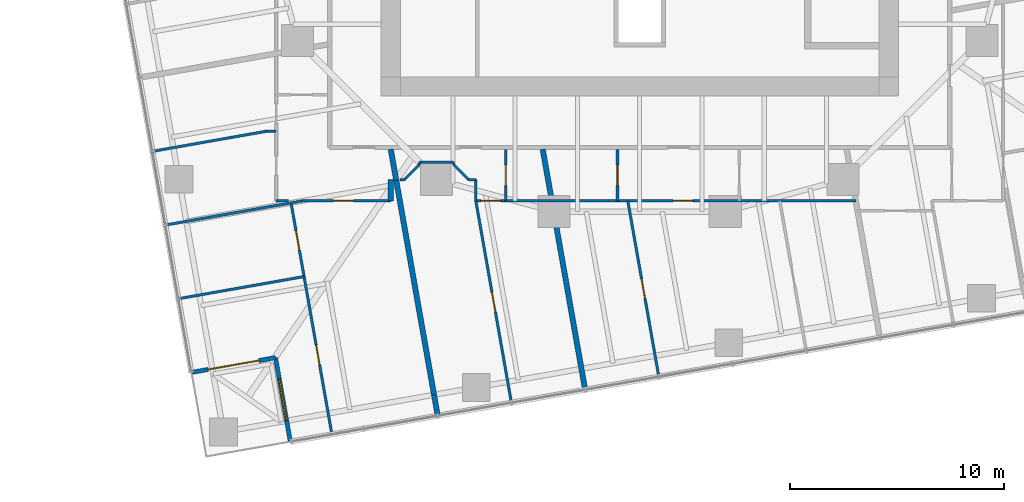
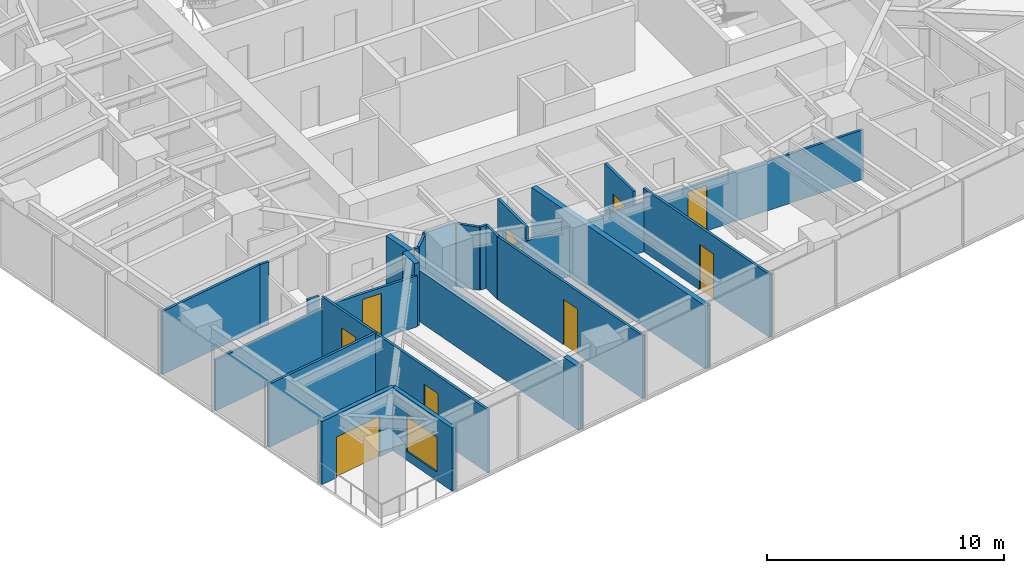
# One storey, part 8 of 14: 27 walls, 10 doors, 1 window, 11 openings.
"""IFC4 building model written with IfcOpenShell, lengths in metres."""

from ifc_helpers import new_model, si_unit, direction, frame, frame_2d, origin, place, context, subcontext, project, spatial, rectangle, extrude, material, layer, layer_set, type_object, element, fill, save


model = new_model("IFC4")

# Units and contexts
model_context = context("Model", 3, precision=1e-05, world=origin(), true_north=direction((0.0, 1.0)))
body_context = subcontext(model_context, "Body", "Model", "MODEL_VIEW")
ifc_project = project(units=[si_unit("LENGTHUNIT", "METRE"), si_unit("AREAUNIT", "SQUARE_METRE"), si_unit("VOLUMEUNIT", "CUBIC_METRE"), si_unit("PLANEANGLEUNIT", "RADIAN"), si_unit("MASSUNIT", "GRAM", prefix="KILO")], contexts=[model_context])

# Site, building, storey
site_placement = place(None, origin())
site = spatial("IfcSite", under=ifc_project, at=site_placement, CompositionType="ELEMENT")
building_placement = place(site_placement, origin())
building = spatial("IfcBuilding", under=site, at=building_placement, Name="Torsade Residences", CompositionType="ELEMENT")
storey_placement = place(building_placement, frame((0.0, 0.0, 86.199951171875)))
storey = spatial("IfcBuildingStorey", under=building, at=storey_placement, Name="L23", CompositionType="ELEMENT", Elevation=86.199951171875)

# Wall, opening, door
ifc_material_1 = material(Name="Plasterboard on steel stud", Category="steel")
ifc_layer_1 = layer(ifc_material_1, 0.1201171875)
ifc_layer_set_1 = layer_set([ifc_layer_1], Name="Plasterboard on steel stud")
wall_type_1 = type_object("IfcWallType", Name="PARTITION 120", PredefinedType="PARTITIONING", material=ifc_layer_set_1)
wall_1_placement = place(storey_placement, frame((28.362060546875, 13.0, 0.0), z_axis=(0.0, 0.0, 1.0), x_axis=(-1.0, 0.0, 0.0)))
wall_1 = element("IfcWall", 1, at=wall_1_placement, inside=storey, type_object=wall_type_1, Name="Partition L23", PredefinedType="PARTITIONING", context=body_context, shape_type="SweptSolid", body=[
    extrude(rectangle(XDim=4.151123046875, YDim=0.1201171875, at=frame_2d((2.07568359375, 0.0))), origin(), (0.0, 0.0, 1.0), 2.637939453125),
])
opening_1_placement = place(wall_1_placement, frame((1.759521484375, 0.0, 0.0)))
opening_1 = element("IfcOpeningElement", 2, at=opening_1_placement, cuts=wall_1, Name="Opening D02", PredefinedType="OPENING", context=body_context, shape_type="SweptSolid", body=[
    extrude(rectangle(XDim=0.919921875, YDim=2.340087890625, at=frame_2d((0.4599609375, 1.169921875))), frame((0.0, 0.070068359375, 0.0), z_axis=(0.0, -1.0, 0.0), x_axis=(1.0, 0.0, 0.0)), (0.0, 0.0, 1.0), 0.14013671875),
])
ifc_material_2 = material(Name="Hollow-core timber door", Category="wood")
door_type_1 = type_object("IfcDoorType", Name="INTERNAL DOOR 920x2340", OperationType="NOTDEFINED", PredefinedType="DOOR", material=ifc_material_2)
door_1_placement = place(opening_1_placement, origin())
door_1 = element("IfcDoor", 3, at=door_1_placement, inside=storey, type_object=door_type_1, Name="Door Kitchen and dining to Living room", OperationType="SINGLE_SWING_RIGHT", OverallHeight=2.340087890625, OverallWidth=0.919921875, PredefinedType="DOOR", context=body_context, shape_type="SweptSolid", body=[
    extrude(rectangle(XDim=0.919921875, YDim=2.340087890625, at=frame_2d((0.4599609375, 1.169921875))), frame((0.0, 0.02490234375, 0.0), z_axis=(0.0, -1.0, 0.0), x_axis=(1.0, 0.0, 0.0)), (0.0, 0.0, 1.0), 0.050048828125),
])
fill(opening_1, door_1)

# Wall, openings, doors
wall_2_placement = place(storey_placement, frame((25.5966796875, 2.115234375, 0.0), z_axis=(0.0, 0.0, 1.0), x_axis=(-0.173639194339, 0.984809336973, 0.0)))
wall_2 = element("IfcWall", 4, at=wall_2_placement, inside=storey, type_object=wall_type_1, Name="Partition L23", PredefinedType="PARTITIONING", context=body_context, shape_type="SweptSolid", body=[
    extrude(rectangle(XDim=10.9599609375, YDim=0.1201171875, at=frame_2d((5.47998046875, 0.0))), origin(), (0.0, 0.0, 1.0), 3.25),
])
opening_2_placement = place(wall_2_placement, frame((3.275146484375, 0.0, 0.0)))
opening_2 = element("IfcOpeningElement", 5, at=opening_2_placement, cuts=wall_2, Name="Opening D02", PredefinedType="OPENING", context=body_context, shape_type="SweptSolid", body=[
    extrude(rectangle(XDim=0.919921875, YDim=2.340087890625, at=frame_2d((0.4599609375, 1.169921875))), frame((0.0, 0.070068359375, 0.0), z_axis=(0.0, -1.0, 0.0), x_axis=(1.0, 0.0, 0.0)), (0.0, 0.0, 1.0), 0.14013671875),
])
opening_3_placement = place(wall_2_placement, frame((8.724853515625, 0.0, 0.0)))
opening_3 = element("IfcOpeningElement", 6, at=opening_3_placement, cuts=wall_2, Name="Opening D02", PredefinedType="OPENING", context=body_context, shape_type="SweptSolid", body=[
    extrude(rectangle(XDim=0.919921875, YDim=2.340087890625, at=frame_2d((0.4599609375, 1.169921875))), frame((0.0, 0.070068359375, 0.0), z_axis=(0.0, -1.0, 0.0), x_axis=(1.0, 0.0, 0.0)), (0.0, 0.0, 1.0), 0.14013671875),
])
door_2_placement = place(opening_2_placement, origin())
door_2 = element("IfcDoor", 7, at=door_2_placement, inside=storey, type_object=door_type_1, Name="Door Living room to Bedroom 1", OperationType="SINGLE_SWING_LEFT", OverallHeight=2.340087890625, OverallWidth=0.919921875, PredefinedType="DOOR", context=body_context, shape_type="SweptSolid", body=[
    extrude(rectangle(XDim=0.919921875, YDim=2.340087890625, at=frame_2d((0.4599609375, 1.169921875))), frame((0.0, 0.02490234375, 0.0), z_axis=(0.0, -1.0, 0.0), x_axis=(1.0, 0.0, 0.0)), (0.0, 0.0, 1.0), 0.050048828125),
])
fill(opening_2, door_2)
door_3_placement = place(opening_3_placement, origin())
door_3 = element("IfcDoor", 8, at=door_3_placement, inside=storey, type_object=door_type_1, Name="Door Living room to Bedroom 3", OperationType="SINGLE_SWING_LEFT", OverallHeight=2.340087890625, OverallWidth=0.919921875, PredefinedType="DOOR", context=body_context, shape_type="SweptSolid", body=[
    extrude(rectangle(XDim=0.919921875, YDim=2.340087890625, at=frame_2d((0.4599609375, 1.169921875))), frame((0.0, 0.02490234375, 0.0), z_axis=(0.0, -1.0, 0.0), x_axis=(1.0, 0.0, 0.0)), (0.0, 0.0, 1.0), 0.050048828125),
])
fill(opening_3, door_3)

# Walls
wall_3_placement = place(storey_placement, frame((17.850341796875, 11.87841796875, 0.0), z_axis=(0.0, 0.0, 1.0), x_axis=(0.984806762864, 0.173653792983, 0.0)))
element("IfcWall", 9, at=wall_3_placement, inside=storey, type_object=wall_type_1, Name="Partition L23", PredefinedType="PARTITIONING", context=body_context, shape_type="SweptSolid", body=[
    extrude(rectangle(XDim=6.458740234375, YDim=0.1201171875, at=frame_2d((3.2294921875, 0.0))), origin(), (0.0, 0.0, 1.0), 2.637939453125),
])
wall_4_placement = place(storey_placement, frame((18.4580078125, 8.431640625, 0.0), z_axis=(0.0, 0.0, 1.0), x_axis=(0.98480923034, 0.173639799116, 0.0)))
element("IfcWall", 10, at=wall_4_placement, inside=storey, type_object=wall_type_1, Name="Partition L23", PredefinedType="PARTITIONING", context=body_context, shape_type="SweptSolid", body=[
    extrude(rectangle(XDim=5.933349609375, YDim=0.1201171875, at=frame_2d((2.966796875, 0.0))), origin(), (0.0, 0.0, 1.0), 3.25),
])
wall_5_placement = place(storey_placement, frame((23.0, 16.260986328125, 0.0), z_axis=(0.0, 0.0, 1.0), x_axis=(-1.0, 0.0, 0.0)))
element("IfcWall", 11, at=wall_5_placement, inside=storey, type_object=wall_type_1, Name="Partition L23", PredefinedType="PARTITIONING", context=body_context, shape_type="SweptSolid", body=[
    extrude(rectangle(XDim=0.449951171875, YDim=0.1201171875, at=frame_2d((0.22509765625, 0.0))), origin(), (0.0, 0.0, 1.0), 3.25),
])
wall_6_placement = place(storey_placement, frame((22.550048828125, 16.260986328125, 0.0), z_axis=(0.0, 0.0, 1.0), x_axis=(-0.984810453076, -0.173632864151, 0.0)))
element("IfcWall", 12, at=wall_6_placement, inside=storey, type_object=wall_type_1, Name="Partition L23", PredefinedType="PARTITIONING", context=body_context, shape_type="SweptSolid", body=[
    extrude(rectangle(XDim=5.389404296875, YDim=0.1201171875, at=frame_2d((2.69482421875, 0.0))), origin(), (0.0, 0.0, 1.0), 3.25),
])

# Wall, opening, door
wall_7_placement = place(storey_placement, frame((33.735595703125, 15.39990234375, 0.0), z_axis=(0.0, 0.0, 1.0), x_axis=(0.0, -1.0, 0.0)))
wall_7 = element("IfcWall", 13, at=wall_7_placement, inside=storey, type_object=wall_type_1, Name="Partition L23", PredefinedType="PARTITIONING", context=body_context, shape_type="SweptSolid", body=[
    extrude(rectangle(XDim=2.39990234375, YDim=0.1201171875, at=frame_2d((1.199951171875, 0.0))), origin(), (0.0, 0.0, 1.0), 3.25),
])
opening_4_placement = place(wall_7_placement, frame((0.719970703125, 0.0, 0.0)))
opening_4 = element("IfcOpeningElement", 14, at=opening_4_placement, cuts=wall_7, Name="Opening D05", PredefinedType="OPENING", context=body_context, shape_type="SweptSolid", body=[
    extrude(rectangle(XDim=0.9599609375, YDim=2.10009765625, at=frame_2d((0.47998046875, 1.050048828125))), frame((0.0, 0.070068359375, 0.0), z_axis=(0.0, -1.0, 0.0), x_axis=(1.0, 0.0, 0.0)), (0.0, 0.0, 1.0), 0.14013671875),
])
ifc_material_3 = material(Name="Hollow-core timber door in a steel cavity frame", Category="steel")
door_type_2 = type_object("IfcDoorType", Name="BATHROOM CAVITY SLIDING DOOR 960", OperationType="SLIDING_TO_LEFT", PredefinedType="DOOR", material=ifc_material_3)
door_4_placement = place(opening_4_placement, origin())
door_4 = element("IfcDoor", 15, at=door_4_placement, inside=storey, type_object=door_type_2, Name="Door Kitchen and dining to Bathroom", OperationType="SLIDING_TO_LEFT", OverallHeight=2.10009765625, OverallWidth=0.9599609375, PredefinedType="DOOR", context=body_context, shape_type="SweptSolid", body=[
    extrude(rectangle(XDim=0.9599609375, YDim=2.10009765625, at=frame_2d((0.47998046875, 1.050048828125))), frame((0.0, 0.02490234375, 0.0), z_axis=(0.0, -1.0, 0.0), x_axis=(1.0, 0.0, 0.0)), (0.0, 0.0, 1.0), 0.050048828125),
])
fill(opening_4, door_4)

# Walls
wall_8_placement = place(storey_placement, frame((32.335693359375, 13.0, 0.0), z_axis=(0.0, 0.0, 1.0), x_axis=(0.0, 1.0, 0.0)))
element("IfcWall", 16, at=wall_8_placement, inside=storey, type_object=wall_type_1, Name="Partition L23", PredefinedType="PARTITIONING", context=body_context, shape_type="SweptSolid", body=[
    extrude(rectangle(XDim=1.0, YDim=0.1201171875, at=frame_2d((0.5, 0.0))), origin(), (0.0, 0.0, 1.0), 3.25),
])
wall_9_placement = place(storey_placement, frame((32.335693359375, 14.0, 0.0), z_axis=(0.0, 0.0, 1.0), x_axis=(-1.0, 0.0, 0.0)))
element("IfcWall", 17, at=wall_9_placement, inside=storey, type_object=wall_type_1, Name="Partition L23", PredefinedType="PARTITIONING", context=body_context, shape_type="SweptSolid", body=[
    extrude(rectangle(XDim=0.335693359375, YDim=0.1201171875, at=frame_2d((0.16796875, 0.0))), origin(), (0.0, 0.0, 1.0), 3.25),
])
wall_10_placement = place(storey_placement, frame((32.0, 14.0, 0.0), z_axis=(0.0, 0.0, 1.0), x_axis=(-0.707106781187, 0.707106781187, 0.0)))
element("IfcWall", 18, at=wall_10_placement, inside=storey, type_object=wall_type_1, Name="Partition L23", PredefinedType="PARTITIONING", context=body_context, shape_type="SweptSolid", body=[
    extrude(rectangle(XDim=0.989990234375, YDim=0.1201171875, at=frame_2d((0.4951171875, 0.0))), origin(), (0.0, 0.0, 1.0), 3.25),
])
wall_11_placement = place(storey_placement, frame((31.300048828125, 14.800048828125, 0.0), z_axis=(0.0, 0.0, 1.0), x_axis=(-1.0, 0.0, 0.0)))
element("IfcWall", 19, at=wall_11_placement, inside=storey, type_object=wall_type_1, Name="Partition L23", PredefinedType="PARTITIONING", context=body_context, shape_type="SweptSolid", body=[
    extrude(rectangle(XDim=1.60009765625, YDim=0.1201171875, at=frame_2d((0.800048828125, 0.0))), origin(), (0.0, 0.0, 1.0), 3.25),
])
wall_12_placement = place(storey_placement, frame((29.699951171875, 14.699951171875, 0.0), z_axis=(0.0, 0.0, 1.0), x_axis=(-0.707106781187, -0.707106781187, 0.0)))
element("IfcWall", 20, at=wall_12_placement, inside=storey, type_object=wall_type_1, Name="Partition L23", PredefinedType="PARTITIONING", context=body_context, shape_type="SweptSolid", body=[
    extrude(rectangle(XDim=0.989990234375, YDim=0.1201171875, at=frame_2d((0.4951171875, 0.0))), origin(), (0.0, 0.0, 1.0), 3.25),
])
wall_13_placement = place(storey_placement, frame((29.0, 14.0, 0.0), z_axis=(0.0, 0.0, 1.0), x_axis=(-1.0, 0.0, 0.0)))
element("IfcWall", 21, at=wall_13_placement, inside=storey, type_object=wall_type_1, Name="Partition L23", PredefinedType="PARTITIONING", context=body_context, shape_type="SweptSolid", body=[
    extrude(rectangle(XDim=0.218505859375, YDim=0.1201171875, at=frame_2d((0.109375, 0.0))), origin(), (0.0, 0.0, 1.0), 3.25),
])

# Wall, openings, doors
wall_14_placement = place(storey_placement, frame((50.10546875, 13.0, 0.0), z_axis=(0.0, 0.0, 1.0), x_axis=(-1.0, 0.0, 0.0)))
wall_14 = element("IfcWall", 22, at=wall_14_placement, inside=storey, type_object=wall_type_1, Name="Partition L23", PredefinedType="PARTITIONING", context=body_context, shape_type="SweptSolid", body=[
    extrude(rectangle(XDim=17.769775390625, YDim=0.1201171875, at=frame_2d((8.884765625, 0.0))), origin(), (0.0, 0.0, 1.0), 2.550048828125),
])
opening_5_placement = place(wall_14_placement, frame((7.625732421875, 0.0, 0.0)))
opening_5 = element("IfcOpeningElement", 23, at=opening_5_placement, cuts=wall_14, Name="Opening D02", PredefinedType="OPENING", context=body_context, shape_type="SweptSolid", body=[
    extrude(rectangle(XDim=0.919921875, YDim=2.340087890625, at=frame_2d((0.4599609375, 1.169921875))), frame((0.0, 0.070068359375, 0.0), z_axis=(0.0, -1.0, 0.0), x_axis=(1.0, 0.0, 0.0)), (0.0, 0.0, 1.0), 0.14013671875),
])
opening_6_placement = place(wall_14_placement, frame((16.60986328125, 0.0, 0.0)))
opening_6 = element("IfcOpeningElement", 24, at=opening_6_placement, cuts=wall_14, Name="Opening D02", PredefinedType="OPENING", context=body_context, shape_type="SweptSolid", body=[
    extrude(rectangle(XDim=0.919921875, YDim=2.340087890625, at=frame_2d((0.4599609375, 1.169921875))), frame((0.0, 0.070068359375, 0.0), z_axis=(0.0, -1.0, 0.0), x_axis=(1.0, 0.0, 0.0)), (0.0, 0.0, 1.0), 0.14013671875),
])
door_5_placement = place(opening_5_placement, origin())
door_5 = element("IfcDoor", 25, at=door_5_placement, inside=storey, type_object=door_type_1, Name="Door Kitchen and dining to Living room", OperationType="SINGLE_SWING_LEFT", OverallHeight=2.340087890625, OverallWidth=0.919921875, PredefinedType="DOOR", context=body_context, shape_type="SweptSolid", body=[
    extrude(rectangle(XDim=0.919921875, YDim=2.340087890625, at=frame_2d((0.4599609375, 1.169921875))), frame((0.0, 0.02490234375, 0.0), z_axis=(0.0, -1.0, 0.0), x_axis=(1.0, 0.0, 0.0)), (0.0, 0.0, 1.0), 0.050048828125),
])
fill(opening_5, door_5)
door_6_placement = place(opening_6_placement, origin())
door_6 = element("IfcDoor", 26, at=door_6_placement, inside=storey, type_object=door_type_1, Name="Door Kitchen and dining to Bedroom 1", OperationType="SINGLE_SWING_RIGHT", OverallHeight=2.340087890625, OverallWidth=0.919921875, PredefinedType="DOOR", context=body_context, shape_type="SweptSolid", body=[
    extrude(rectangle(XDim=0.919921875, YDim=2.340087890625, at=frame_2d((0.4599609375, 1.169921875))), frame((0.0, 0.02490234375, 0.0), z_axis=(0.0, -1.0, 0.0), x_axis=(1.0, 0.0, 0.0)), (0.0, 0.0, 1.0), 0.050048828125),
])
fill(opening_6, door_6)

# Wall, opening, door
wall_15_placement = place(storey_placement, frame((32.335693359375, 13.0, 0.0), z_axis=(0.0, 0.0, 1.0), x_axis=(0.173624894944, -0.984811858101, 0.0)))
wall_15 = element("IfcWall", 27, at=wall_15_placement, inside=storey, type_object=wall_type_1, Name="Partition L23", PredefinedType="PARTITIONING", context=body_context, shape_type="SweptSolid", body=[
    extrude(rectangle(XDim=9.549072265625, YDim=0.1201171875, at=frame_2d((4.7744140625, 0.0))), origin(), (0.0, 0.0, 1.0), 3.25),
])
opening_7_placement = place(wall_15_placement, frame((4.33447265625, 0.0, 0.0)))
opening_7 = element("IfcOpeningElement", 28, at=opening_7_placement, cuts=wall_15, Name="Opening D02", PredefinedType="OPENING", context=body_context, shape_type="SweptSolid", body=[
    extrude(rectangle(XDim=0.919921875, YDim=2.340087890625, at=frame_2d((0.4599609375, 1.169921875))), frame((0.0, 0.070068359375, 0.0), z_axis=(0.0, -1.0, 0.0), x_axis=(1.0, 0.0, 0.0)), (0.0, 0.0, 1.0), 0.14013671875),
])
door_7_placement = place(opening_7_placement, origin())
door_7 = element("IfcDoor", 29, at=door_7_placement, inside=storey, type_object=door_type_1, Name="Door Bedroom 1 to Living room", OperationType="SINGLE_SWING_LEFT", OverallHeight=2.340087890625, OverallWidth=0.919921875, PredefinedType="DOOR", context=body_context, shape_type="SweptSolid", body=[
    extrude(rectangle(XDim=0.919921875, YDim=2.340087890625, at=frame_2d((0.4599609375, 1.169921875))), frame((0.0, 0.02490234375, 0.0), z_axis=(0.0, -1.0, 0.0), x_axis=(1.0, 0.0, 0.0)), (0.0, 0.0, 1.0), 0.050048828125),
])
fill(opening_7, door_7)

wall_16_placement = place(storey_placement, frame((38.962158203125, 13.0, 0.0), z_axis=(0.0, 0.0, 1.0), x_axis=(0.0, 1.0, 0.0)))
wall_16 = element("IfcWall", 30, at=wall_16_placement, inside=storey, type_object=wall_type_1, Name="Partition L23", PredefinedType="PARTITIONING", context=body_context, shape_type="SweptSolid", body=[
    extrude(rectangle(XDim=2.39990234375, YDim=0.1201171875, at=frame_2d((1.199951171875, 0.0))), origin(), (0.0, 0.0, 1.0), 3.25),
])
opening_8_placement = place(wall_16_placement, frame((0.719970703125, 0.0, 0.0)))
opening_8 = element("IfcOpeningElement", 31, at=opening_8_placement, cuts=wall_16, Name="Opening D05", PredefinedType="OPENING", context=body_context, shape_type="SweptSolid", body=[
    extrude(rectangle(XDim=0.9599609375, YDim=2.10009765625, at=frame_2d((0.47998046875, 1.050048828125))), frame((0.0, 0.070068359375, 0.0), z_axis=(0.0, -1.0, 0.0), x_axis=(1.0, 0.0, 0.0)), (0.0, 0.0, 1.0), 0.14013671875),
])
door_8_placement = place(opening_8_placement, origin())
door_8 = element("IfcDoor", 32, at=door_8_placement, inside=storey, type_object=door_type_2, Name="Door Kitchen and dining to Ensuite", OperationType="SLIDING_TO_LEFT", OverallHeight=2.10009765625, OverallWidth=0.9599609375, PredefinedType="DOOR", context=body_context, shape_type="SweptSolid", body=[
    extrude(rectangle(XDim=0.9599609375, YDim=2.10009765625, at=frame_2d((0.47998046875, 1.050048828125))), frame((0.0, 0.02490234375, 0.0), z_axis=(0.0, -1.0, 0.0), x_axis=(1.0, 0.0, 0.0)), (0.0, 0.0, 1.0), 0.050048828125),
])
fill(opening_8, door_8)

wall_17_placement = place(storey_placement, frame((40.887451171875, 4.8115234375, 0.0), z_axis=(0.0, 0.0, 1.0), x_axis=(-0.173647980238, 0.984807787824, 0.0)))
wall_17 = element("IfcWall", 33, at=wall_17_placement, inside=storey, type_object=wall_type_1, Name="Partition L23", PredefinedType="PARTITIONING", context=body_context, shape_type="SweptSolid", body=[
    extrude(rectangle(XDim=8.314697265625, YDim=0.1201171875, at=frame_2d((4.1572265625, 0.0))), origin(), (0.0, 0.0, 1.0), 3.25),
])
opening_9_placement = place(wall_17_placement, frame((3.677490234375, 0.0, 0.0)))
opening_9 = element("IfcOpeningElement", 34, at=opening_9_placement, cuts=wall_17, Name="Opening D02", PredefinedType="OPENING", context=body_context, shape_type="SweptSolid", body=[
    extrude(rectangle(XDim=0.919921875, YDim=2.340087890625, at=frame_2d((0.4599609375, 1.169921875))), frame((0.0, 0.070068359375, 0.0), z_axis=(0.0, -1.0, 0.0), x_axis=(1.0, 0.0, 0.0)), (0.0, 0.0, 1.0), 0.14013671875),
])
door_9_placement = place(opening_9_placement, origin())
door_9 = element("IfcDoor", 35, at=door_9_placement, inside=storey, type_object=door_type_1, Name="Door Living room to Bedroom 1", OperationType="SINGLE_SWING_RIGHT", OverallHeight=2.340087890625, OverallWidth=0.919921875, PredefinedType="DOOR", context=body_context, shape_type="SweptSolid", body=[
    extrude(rectangle(XDim=0.919921875, YDim=2.340087890625, at=frame_2d((0.4599609375, 1.169921875))), frame((0.0, 0.02490234375, 0.0), z_axis=(0.0, -1.0, 0.0), x_axis=(1.0, 0.0, 0.0)), (0.0, 0.0, 1.0), 0.050048828125),
])
fill(opening_9, door_9)

# Walls
wall_18_placement = place(storey_placement, frame((23.0, 13.0, 0.0), z_axis=(0.0, 0.0, 1.0), x_axis=(1.0, 0.0, 0.0)))
element("IfcWall", 36, at=wall_18_placement, inside=storey, type_object=wall_type_1, Name="Partition L23", PredefinedType="PARTITIONING", context=body_context, shape_type="SweptSolid", body=[
    extrude(rectangle(XDim=0.57763671875, YDim=0.1201171875, at=frame_2d((0.288818359375, 0.0))), origin(), (0.0, 0.0, 1.0), 3.25),
])
for number, where, z_axis, x_axis, name in (
    (37, (31.300048828125, 14.800048828125, 0.0), (0.0, 0.0, 1.0), (0.0, -1.0, 0.0), "Partition L23"),
    (38, (29.699951171875, 14.800048828125, 0.0), (0.0, 0.0, 1.0), (0.0, -1.0, 0.0), "Partition L23"),
):
    element("IfcWall", number, at=place(storey_placement, frame(where, z_axis=z_axis, x_axis=x_axis)), inside=storey, type_object=wall_type_1, Name=name, PredefinedType="PARTITIONING", context=body_context, shape_type="SweptSolid", body=[
        extrude(rectangle(XDim=0.10009765625, YDim=0.1201171875, at=frame_2d((0.050048828125, 0.0))), origin(), (0.0, 0.0, 1.0), 3.25),
    ])
ifc_material_4 = material(Name="Masonry-lined stud party wall", Category="masonry")
ifc_layer_2 = layer(ifc_material_4, 0.25)
ifc_layer_set_2 = layer_set([ifc_layer_2], Name="Masonry-lined stud party wall")
wall_type_2 = type_object("IfcWallType", Name="PARTY WALL 250", PredefinedType="PARTITIONING", material=ifc_layer_set_2)
wall_19_placement = place(storey_placement, frame((37.447509765625, 4.164306640625, 0.0), z_axis=(0.0, 0.0, 1.0), x_axis=(-0.173635416642, 0.98481000304, 0.0)))
element("IfcWall", 39, at=wall_19_placement, inside=storey, type_object=wall_type_2, Name="Party wall L23", PredefinedType="PARTITIONING", context=body_context, shape_type="SweptSolid", body=[
    extrude(rectangle(XDim=11.427001953125, YDim=0.25, at=frame_2d((5.71337890625, 0.0))), origin(), (0.0, 0.0, 1.0), 3.25),
])
wall_20_placement = place(storey_placement, frame((30.553955078125, 2.94873046875, 0.0), z_axis=(0.0, 0.0, 1.0), x_axis=(-0.173813186416, 0.984778643263, 0.0)))
element("IfcWall", 40, at=wall_20_placement, inside=storey, type_object=wall_type_2, Name="Party wall L23", PredefinedType="PARTITIONING", context=body_context, shape_type="SweptSolid", body=[
    extrude(rectangle(XDim=1.0, YDim=0.25, at=frame_2d((0.5, 0.0))), origin(), (0.0, 0.0, 1.0), 3.25),
])
wall_21_placement = place(storey_placement, frame((30.380126953125, 3.93359375, 0.0), z_axis=(0.0, 0.0, 1.0), x_axis=(-0.173644522411, 0.984808397525, 0.0)))
element("IfcWall", 41, at=wall_21_placement, inside=storey, type_object=wall_type_2, Name="Party wall L23", PredefinedType="PARTITIONING", context=body_context, shape_type="SweptSolid", body=[
    extrude(rectangle(XDim=10.187744140625, YDim=0.25, at=frame_2d((5.09375, 0.0))), origin(), (0.0, 0.0, 1.0), 2.637939453125),
])
wall_22_placement = place(storey_placement, frame((28.611083984375, 13.966552734375, 0.0), z_axis=(0.0, 0.0, 1.0), x_axis=(-0.173634105885, 0.984810234143, 0.0)))
element("IfcWall", 42, at=wall_22_placement, inside=storey, type_object=wall_type_2, Name="Party wall L23", PredefinedType="PARTITIONING", context=body_context, shape_type="SweptSolid", body=[
    extrude(rectangle(XDim=1.4736328125, YDim=0.25, at=frame_2d((0.73681640625, 0.0))), origin(), (0.0, 0.0, 1.0), 3.25),
])
wall_23_placement = place(storey_placement, frame((28.362060546875, 13.99755859375, 0.0), z_axis=(0.0, 0.0, 1.0), x_axis=(0.0, -1.0, 0.0)))
element("IfcWall", 43, at=wall_23_placement, inside=storey, type_object=wall_type_2, Name="Party wall L23", PredefinedType="PARTITIONING", context=body_context, shape_type="SweptSolid", body=[
    extrude(rectangle(XDim=0.99755859375, YDim=0.25, at=frame_2d((0.498779296875, 0.0))), origin(), (0.0, 0.0, 1.0), 3.25),
])

# Wall, opening, door
ifc_material_5 = material(Name="Stone-faced precast concrete 40 MPa panel", Category="masonry")
ifc_layer_3 = layer(ifc_material_5, 0.199951171875)
ifc_layer_set_3 = layer_set([ifc_layer_3], Name="Stone-faced precast concrete 40 MPa panel")
wall_type_3 = type_object("IfcWallType", Name="TERRACE WALL 200", PredefinedType="SOLIDWALL", material=ifc_layer_set_3)
wall_24_placement = place(storey_placement, frame((19.0263671875, 4.977783203125, 0.0), z_axis=(0.0, 0.0, 1.0), x_axis=(0.984808127031, 0.173646056486, 0.0)))
wall_24 = element("IfcWall", 44, at=wall_24_placement, inside=storey, type_object=wall_type_3, Name="Terrace wall L23 11", PredefinedType="SOLIDWALL", context=body_context, shape_type="SweptSolid", body=[
    extrude(rectangle(XDim=4.0, YDim=0.199951171875, at=frame_2d((2.0, 0.0))), origin(), (0.0, 0.0, 1.0), 3.25),
])
opening_10_placement = place(wall_24_placement, frame((0.800048828125, 0.0, 0.0)))
opening_10 = element("IfcOpeningElement", 45, at=opening_10_placement, cuts=wall_24, Name="Opening D10A", PredefinedType="OPENING", context=body_context, shape_type="SweptSolid", body=[
    extrude(rectangle(XDim=2.39990234375, YDim=2.10009765625, at=frame_2d((1.199951171875, 1.050048828125))), frame((0.0, 0.10986328125, 0.0), z_axis=(0.0, -1.0, 0.0), x_axis=(1.0, 0.0, 0.0)), (0.0, 0.0, 1.0), 0.219970703125),
])
ifc_material_6 = material(Name="Aluminium-framed glass door", Category="aluminium")
door_type_3 = type_object("IfcDoorType", Name="TERRACE SLIDING DOOR 2400x2100", OperationType="SLIDING_TO_LEFT", PredefinedType="DOOR", material=ifc_material_6)
door_10_placement = place(opening_10_placement, origin())
door_10 = element("IfcDoor", 46, at=door_10_placement, inside=storey, type_object=door_type_3, Name="Terrace door L23 11", OperationType="SLIDING_TO_LEFT", OverallHeight=2.10009765625, OverallWidth=2.39990234375, PredefinedType="DOOR", context=body_context, shape_type="SweptSolid", body=[
    extrude(rectangle(XDim=2.39990234375, YDim=2.10009765625, at=frame_2d((1.199951171875, 1.050048828125))), frame((0.0, 0.02490234375, 0.0), z_axis=(0.0, -1.0, 0.0), x_axis=(1.0, 0.0, 0.0)), (0.0, 0.0, 1.0), 0.050048828125),
])
fill(opening_10, door_10)

# Wall, opening, window
wall_25_placement = place(storey_placement, frame((22.965576171875, 5.67236328125, 0.0), z_axis=(0.0, 0.0, 1.0), x_axis=(0.173646056486, -0.984808127031, 0.0)))
wall_25 = element("IfcWall", 47, at=wall_25_placement, inside=storey, type_object=wall_type_3, Name="Terrace wall L23 12", PredefinedType="SOLIDWALL", context=body_context, shape_type="SweptSolid", body=[
    extrude(rectangle(XDim=4.0, YDim=0.199951171875, at=frame_2d((2.0, 0.0))), origin(), (0.0, 0.0, 1.0), 3.25),
])
opening_11_placement = place(wall_25_placement, frame((1.0, 0.0, 0.449951171875)))
opening_11 = element("IfcOpeningElement", 48, at=opening_11_placement, cuts=wall_25, Name="Opening W1B", PredefinedType="OPENING", context=body_context, shape_type="SweptSolid", body=[
    extrude(rectangle(XDim=2.0, YDim=1.800048828125, at=frame_2d((1.0, 0.89990234375))), frame((0.0, 0.10986328125, 0.0), z_axis=(0.0, -1.0, 0.0), x_axis=(1.0, 0.0, 0.0)), (0.0, 0.0, 1.0), 0.219970703125),
])
ifc_material_7 = material(Name="Aluminium-framed glass window", Category="aluminium")
window_type = type_object("IfcWindowType", Name="TERRACE WINDOW 2000x1800", PartitioningType="SINGLE_PANEL", PredefinedType="WINDOW", material=ifc_material_7)
window_placement = place(opening_11_placement, origin())
window = element("IfcWindow", 49, at=window_placement, inside=storey, type_object=window_type, Name="Terrace window L23 12", OverallHeight=1.800048828125, OverallWidth=2.0, PartitioningType="SINGLE_PANEL", PredefinedType="WINDOW", context=body_context, shape_type="SweptSolid", body=[
    extrude(rectangle(XDim=2.0, YDim=1.800048828125, at=frame_2d((1.0, 0.89990234375))), frame((0.0, 0.030029296875, 0.0), z_axis=(0.0, -1.0, 0.0), x_axis=(1.0, 0.0, 0.0)), (0.0, 0.0, 1.0), 0.06005859375),
])
fill(opening_11, window)

save(model, "model.ifc")
